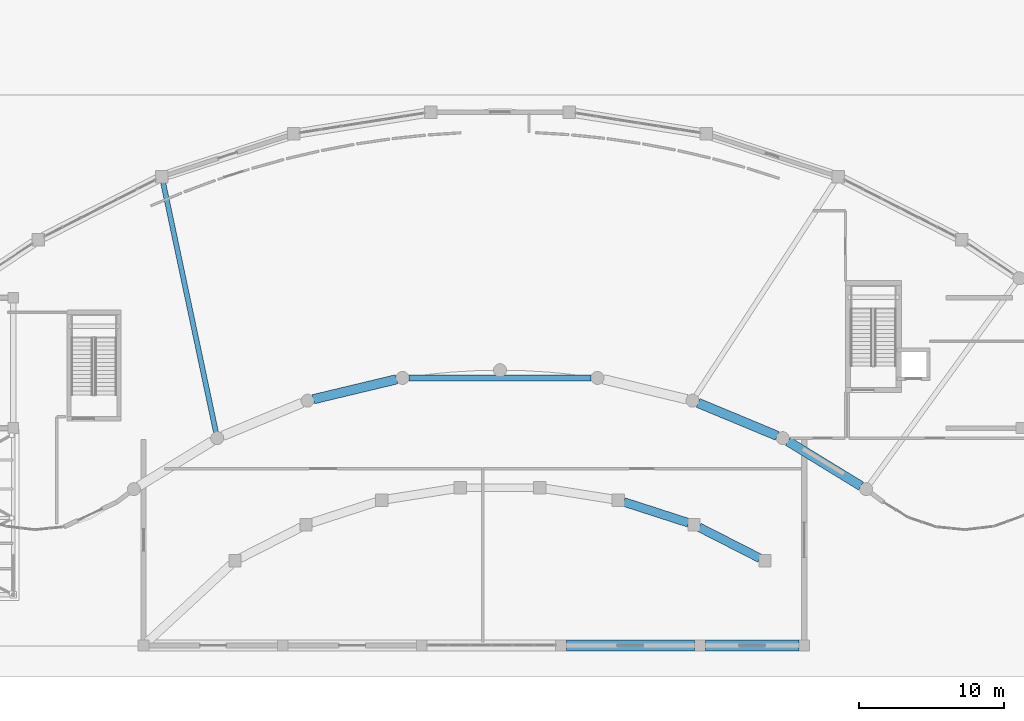
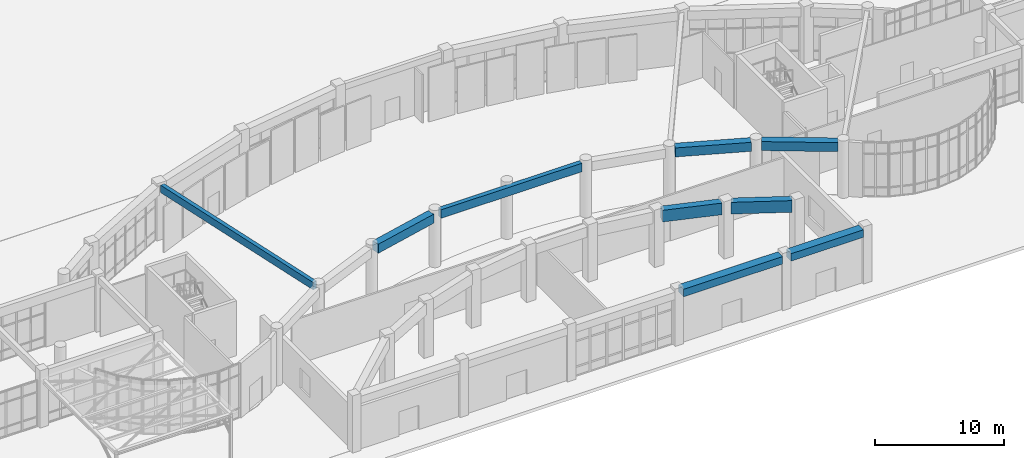
# One storey, part 16 of 70: 9 beams.
"""IFC4 building model written with IfcOpenShell, lengths in metres."""

from ifc_helpers import new_model, si_unit, direction, frame, origin, origin_2d, place, context, subcontext, project, spatial, rectangle, extrude, material, material_profile, profile_set, type_object, element, save


model = new_model("IFC4")

# Units and contexts
model_context = context("Model", 3, precision=1e-05, world=origin(), true_north=direction((0.0, 1.0)))
body_context = subcontext(model_context, "Body", "Model", "MODEL_VIEW")
ifc_project = project(units=[si_unit("LENGTHUNIT", "METRE"), si_unit("AREAUNIT", "SQUARE_METRE"), si_unit("VOLUMEUNIT", "CUBIC_METRE"), si_unit("PLANEANGLEUNIT", "RADIAN"), si_unit("MASSUNIT", "GRAM", prefix="KILO")], contexts=[model_context])

# Site, building, storey
site_placement = place(None, origin())
site = spatial("IfcSite", under=ifc_project, at=site_placement, CompositionType="ELEMENT")
building_placement = place(site_placement, origin())
building = spatial("IfcBuilding", under=site, at=building_placement, Name="Miralva Faculty of Natural Sciences", CompositionType="ELEMENT")
storey_placement = place(building_placement, origin())
storey = spatial("IfcBuildingStorey", under=building, at=storey_placement, Name="L00", CompositionType="ELEMENT", Elevation=0.0)

# Beams
ifc_material = material(Name="Concrete C40/50", Category="concrete")
ifc_material_profile_1 = material_profile(ifc_material, rectangle(XDim=0.39990234375, YDim=0.800048828125, at=origin_2d()), Name="RC 400x800")
ifc_profile_set_1 = profile_set([ifc_material_profile_1], Name="Concrete C40/50")
beam_type_1 = type_object("IfcBeamType", Name="BM-B02", PredefinedType="BEAM", material=ifc_profile_set_1)
beam_1_placement = place(storey_placement, frame((83.719970703125, 21.469970703125, 4.719970703125), z_axis=(1.0, 0.0, 0.0), x_axis=(0.0, 1.0, 0.0)))
element("IfcBeam", 1, at=beam_1_placement, inside=storey, type_object=beam_type_1, Name="Girder EW L00-22", PredefinedType="BEAM", context=body_context, shape_type="SweptSolid", body=[
    extrude(rectangle(XDim=0.39990234375, YDim=0.800048828125, at=origin_2d()), origin(), (0.0, 0.0, 1.0), 12.56005859375),
])
ifc_material_profile_2 = material_profile(ifc_material, rectangle(XDim=0.35009765625, YDim=0.699951171875, at=origin_2d()), Name="RC 350x700")
ifc_profile_set_2 = profile_set([ifc_material_profile_2], Name="Concrete C40/50")
beam_type_2 = type_object("IfcBeamType", Name="BM-B04", PredefinedType="BEAM", material=ifc_profile_set_2)
beam_2_placement = place(storey_placement, frame((70.394287109375, 17.715087890625, 4.81005859375), z_axis=(-0.20704798561, 0.978330788463, 0.0), x_axis=(-0.978330788463, -0.20704798561, 0.0)))
element("IfcBeam", 2, at=beam_2_placement, inside=storey, type_object=beam_type_2, Name="Swept-arc radial girder L00-8", PredefinedType="BEAM", context=body_context, shape_type="SweptSolid", body=[
    extrude(rectangle(XDim=0.35009765625, YDim=0.699951171875, at=origin_2d()), origin(), (0.0, 0.0, 1.0), 17.644775390625),
])
ifc_material_profile_3 = material_profile(ifc_material, rectangle(XDim=0.75, YDim=0.699951171875, at=origin_2d()), Name="RC 750x700")
ifc_profile_set_3 = profile_set([ifc_material_profile_3], Name="Concrete C40/50")
beam_type_3 = type_object("IfcBeamType", Name="BM-SP01", PredefinedType="SPANDREL", material=ifc_profile_set_3)
beam_3_placement = place(storey_placement, frame((94.574951171875, 3.0, 4.77001953125), z_axis=(1.0, 0.0, 0.0), x_axis=(0.0, 1.0, 0.0)))
element("IfcBeam", 3, at=beam_3_placement, inside=storey, type_object=beam_type_3, Name="Girder EW L00-9", PredefinedType="SPANDREL", context=body_context, shape_type="SweptSolid", body=[
    extrude(rectangle(XDim=0.75, YDim=0.699951171875, at=origin_2d()), origin(), (0.0, 0.0, 1.0), 8.85009765625),
])
beam_4_placement = place(storey_placement, frame((104.175048828125, 3.0, 4.77001953125), z_axis=(1.0, 0.0, 0.0), x_axis=(0.0, 1.0, 0.0)))
element("IfcBeam", 4, at=beam_4_placement, inside=storey, type_object=beam_type_3, Name="Girder EW L00-10", PredefinedType="SPANDREL", context=body_context, shape_type="SweptSolid", body=[
    extrude(rectangle(XDim=0.75, YDim=0.699951171875, at=origin_2d()), origin(), (0.0, 0.0, 1.0), 6.449951171875),
])
ifc_material_profile_4 = material_profile(ifc_material, rectangle(XDim=0.64990234375, YDim=0.85009765625, at=origin_2d()), Name="RC 650x850")
ifc_profile_set_4 = profile_set([ifc_material_profile_4], Name="Concrete C40/50")
beam_type_4 = type_object("IfcBeamType", Name="BM-SP03", PredefinedType="SPANDREL", material=ifc_profile_set_4)
beam_5_placement = place(storey_placement, frame((114.9169921875, 14.006103515625, 4.735107421875), z_axis=(-0.852887694262, 0.522094417683, 0.0), x_axis=(-0.522094417683, -0.852887694262, 0.0)))
element("IfcBeam", 5, at=beam_5_placement, inside=storey, type_object=beam_type_4, Name="Curved chord girder ARCIN L00-1", PredefinedType="SPANDREL", context=body_context, shape_type="SweptSolid", body=[
    extrude(rectangle(XDim=0.64990234375, YDim=0.85009765625, at=origin_2d()), origin(), (0.0, 0.0, 1.0), 5.9140625),
])
beam_6_placement = place(storey_placement, frame((109.1376953125, 17.468994140625, 4.695068359375), z_axis=(-0.923376848941, 0.38389477053, 0.0), x_axis=(-0.38389477053, -0.923376848941, 0.0)))
element("IfcBeam", 6, at=beam_6_placement, inside=storey, type_object=beam_type_4, Name="Curved chord girder ARCIN L00-2", PredefinedType="SPANDREL", context=body_context, shape_type="SweptSolid", body=[
    extrude(rectangle(XDim=0.64990234375, YDim=0.85009765625, at=origin_2d()), origin(), (0.0, 0.0, 1.0), 5.9189453125),
])
beam_7_placement = place(storey_placement, frame((82.867431640625, 21.37353515625, 4.695068359375), z_axis=(-0.972539519162, -0.232737800254, 0.0), x_axis=(0.232737800254, -0.972539519162, 0.0)))
element("IfcBeam", 7, at=beam_7_placement, inside=storey, type_object=beam_type_4, Name="Curved chord girder ARCIN L00-6", PredefinedType="SPANDREL", context=body_context, shape_type="SweptSolid", body=[
    extrude(rectangle(XDim=0.64990234375, YDim=0.85009765625, at=origin_2d()), origin(), (0.0, 0.0, 1.0), 5.91748046875),
])
ifc_material_profile_5 = material_profile(ifc_material, rectangle(XDim=0.60009765625, YDim=1.10009765625, at=origin_2d()), Name="RC 600x1100")
ifc_profile_set_5 = profile_set([ifc_material_profile_5], Name="Concrete C40/50")
beam_type_5 = type_object("IfcBeamType", Name="BM-TG01", PredefinedType="BEAM", material=ifc_profile_set_5)
beam_8_placement = place(storey_placement, frame((107.941650390625, 9.017578125, 4.60009765625), z_axis=(-0.890744771804, 0.454503852024, 0.0), x_axis=(-0.454503852024, -0.890744771804, 0.0)))
element("IfcBeam", 8, at=beam_8_placement, inside=storey, type_object=beam_type_5, Name="Curved chord girder SHIN L00-1", PredefinedType="BEAM", context=body_context, shape_type="SweptSolid", body=[
    extrude(rectangle(XDim=0.60009765625, YDim=1.10009765625, at=origin_2d()), origin(), (0.0, 0.0, 1.0), 4.718994140625),
])
beam_9_placement = place(storey_placement, frame((103.01806640625, 11.46044921875, 4.60009765625), z_axis=(-0.951377447545, 0.308027518743, 0.0), x_axis=(-0.308027518743, -0.951377447545, 0.0)))
element("IfcBeam", 9, at=beam_9_placement, inside=storey, type_object=beam_type_5, Name="Curved chord girder SHIN L00-2", PredefinedType="BEAM", context=body_context, shape_type="SweptSolid", body=[
    extrude(rectangle(XDim=0.60009765625, YDim=1.10009765625, at=origin_2d()), origin(), (0.0, 0.0, 1.0), 4.704833984375),
])

save(model, "model.ifc")
